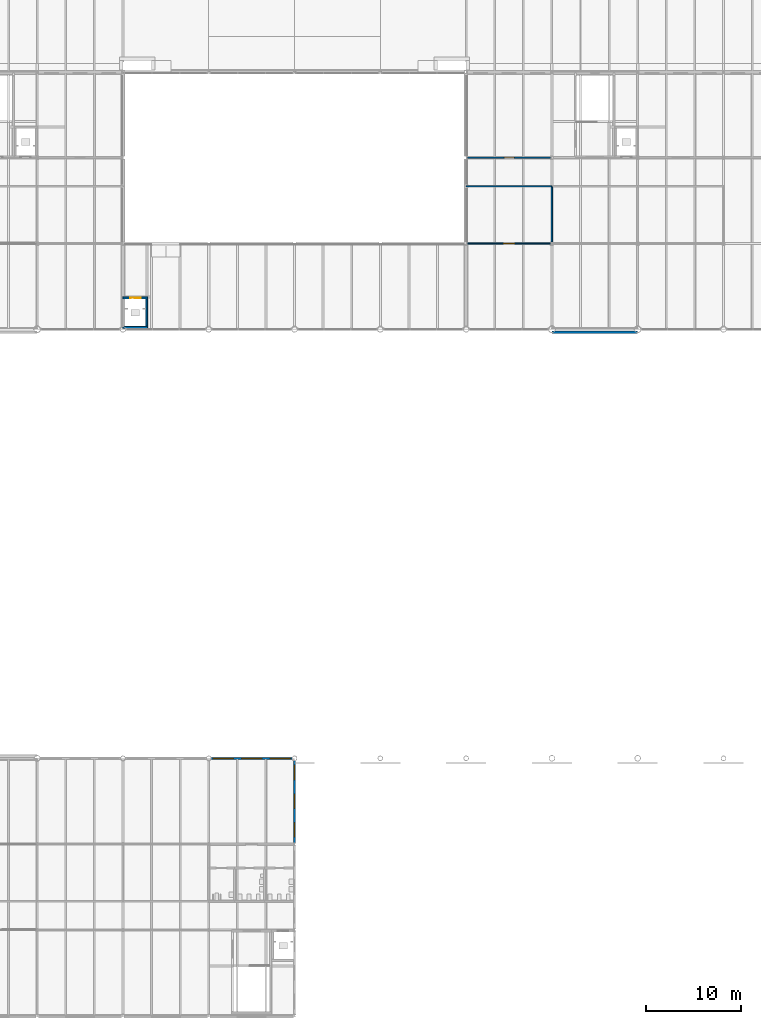
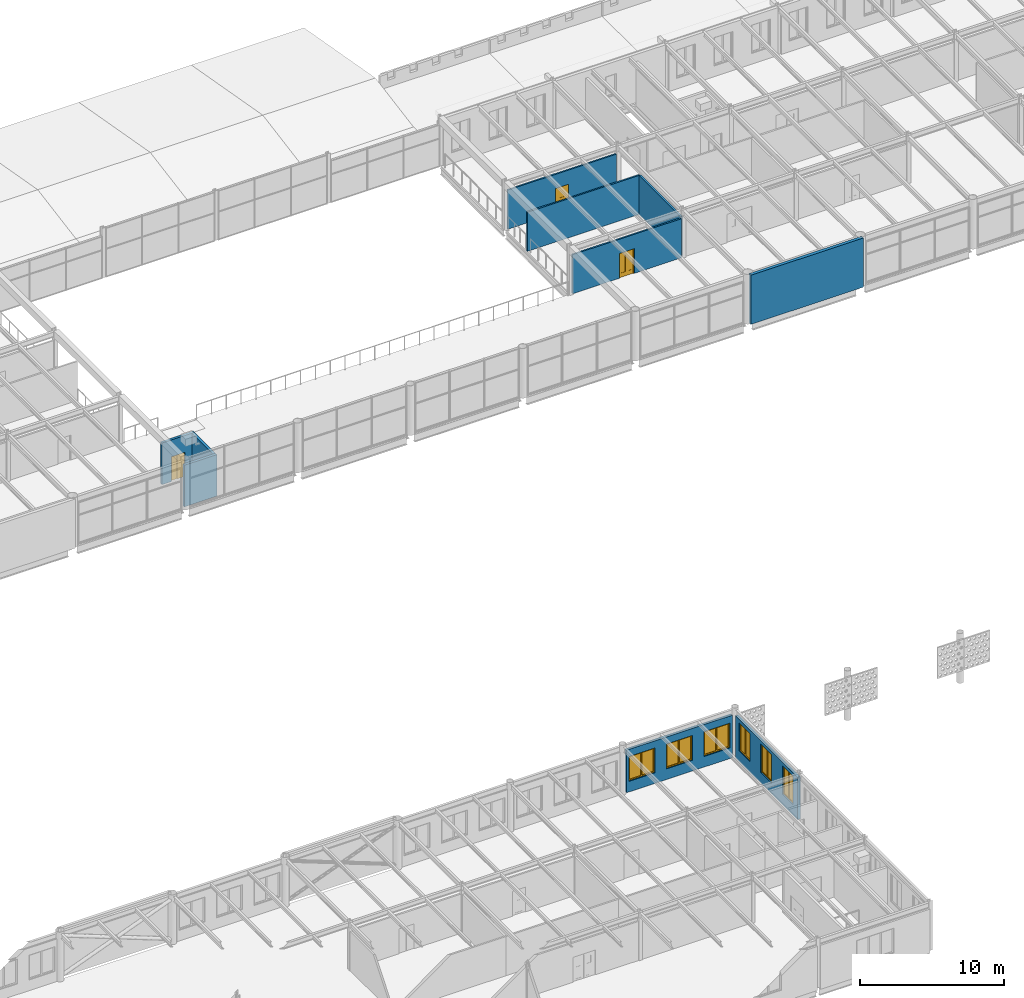
# One storey, part 79 of 123: 10 walls, 6 windows, 3 doors, 9 openings.
"""IFC4 building model written with IfcOpenShell, lengths in metres."""

from ifc_helpers import new_model, si_unit, direction, frame, frame_2d, origin, place, context, subcontext, project, spatial, polyline, rectangle, outline, extrude, material, layer, layer_set, type_object, element, fill, save


model = new_model("IFC4")

# Units and contexts
model_context = context("Model", 3, precision=1e-05, world=origin(), true_north=direction((0.0, 1.0)))
body_context = subcontext(model_context, "Body", "Model", "MODEL_VIEW")
ifc_project = project(units=[si_unit("LENGTHUNIT", "METRE"), si_unit("AREAUNIT", "SQUARE_METRE"), si_unit("VOLUMEUNIT", "CUBIC_METRE"), si_unit("PLANEANGLEUNIT", "RADIAN"), si_unit("MASSUNIT", "GRAM", prefix="KILO")], contexts=[model_context])

# Site, building, storey
site_placement = place(None, origin())
site = spatial("IfcSite", under=ifc_project, at=site_placement, CompositionType="ELEMENT")
building_placement = place(site_placement, origin())
building = spatial("IfcBuilding", under=site, at=building_placement, Name="Baradari Gate Terminus", CompositionType="ELEMENT")
storey_placement = place(building_placement, frame((0.0, 0.0, 7.5)))
storey = spatial("IfcBuildingStorey", under=building, at=storey_placement, Name="L01", CompositionType="ELEMENT", Elevation=7.5)

# Wall
ifc_material_1 = material(Name="Gypsum board")
ifc_layer_1 = layer(ifc_material_1, 0.125)
ifc_layer_set_1 = layer_set([ifc_layer_1], Name="Gypsum board")
wall_type_1 = type_object("IfcWallType", Name="Corridor partition PT-5 125 EI 30", PredefinedType="PARTITIONING", material=ifc_layer_set_1)
wall_1_placement = place(storey_placement, frame((180.0, 96.0, 0.0), z_axis=(0.0, 0.0, 1.0), x_axis=(-1.0, 0.0, 0.0)))
element("IfcWall", 1, at=wall_1_placement, inside=storey, type_object=wall_type_1, Name="PT-5 partition Corridor (Service Corridor East) / Training Room", PredefinedType="PARTITIONING", context=body_context, shape_type="SweptSolid", body=[
    extrude(rectangle(XDim=9.0, YDim=0.125, at=frame_2d((4.5, 0.0))), origin(), (0.0, 0.0, 1.0), 3.306884765625),
])

# Wall, opening, door
wall_2_placement = place(storey_placement, frame((171.15380859375, 99.0, 0.0), z_axis=(0.0, 0.0, 1.0), x_axis=(1.0, 0.0, 0.0)))
wall_2 = element("IfcWall", 2, at=wall_2_placement, inside=storey, type_object=wall_type_1, Name="PT-5 partition Corridor (Service Corridor East) / Meeting Room 2", PredefinedType="PARTITIONING", context=body_context, shape_type="SweptSolid", body=[
    extrude(rectangle(XDim=8.6923828125, YDim=0.125, at=frame_2d((4.34619140625, 0.0))), origin(), (0.0, 0.0, 1.0), 3.306884765625),
])
opening_1_placement = place(wall_2_placement, frame((3.8212890625, 0.0, 0.0)))
opening_1 = element("IfcOpeningElement", 3, at=opening_1_placement, cuts=wall_2, Name="Opening D01-058", PredefinedType="OPENING", context=body_context, shape_type="SweptSolid", body=[
    extrude(rectangle(XDim=1.050048828125, YDim=2.10009765625, at=frame_2d((0.52490234375, 1.050048828125))), frame((0.0, 0.072509765625, 0.0), z_axis=(0.0, -1.0, 0.0), x_axis=(1.0, 0.0, 0.0)), (0.0, 0.0, 1.0), 0.14501953125),
])
ifc_material_2 = material(Name="Steel S275", Category="steel")
door_type_1 = type_object("IfcDoorType", Name="Fire door FI-1050-FD30S 1050x2100 FD30S", OperationType="SINGLE_SWING_LEFT", PredefinedType="DOOR", material=ifc_material_2)
door_1_placement = place(opening_1_placement, origin())
door_1 = element("IfcDoor", 4, at=door_1_placement, inside=storey, type_object=door_type_1, Name="Door Meeting Room 2", OperationType="SINGLE_SWING_RIGHT", OverallHeight=2.1, OverallWidth=1.05, PredefinedType="DOOR", context=body_context, shape_type="SweptSolid", body=[
    extrude(outline(polyline([(0.0, 0.0), (0.070068359375, 0.0), (0.070068359375, 2.030029296875), (0.97998046875, 2.030029296875), (0.97998046875, 0.0), (1.050048828125, 0.0), (1.050048828125, 2.10009765625), (0.0, 2.10009765625), (0.0, 0.0)])), frame((0.0, 0.02490234375, 0.0), z_axis=(0.0, -1.0, 0.0), x_axis=(1.0, 0.0, 0.0)), (0.0, 0.0, 1.0), 0.050048828125),
    extrude(outline(polyline([(0.073974609375, 0.010009765625), (0.97607421875, 0.010009765625), (0.97607421875, 2.026123046875), (0.073974609375, 2.026123046875), (0.073974609375, 0.010009765625)]), holes=[polyline([(0.194091796875, 0.159912109375), (0.85595703125, 0.159912109375), (0.85595703125, 1.010009765625), (0.194091796875, 1.010009765625), (0.194091796875, 0.159912109375)]), polyline([(0.375, 1.159912109375), (0.675048828125, 1.159912109375), (0.675048828125, 1.760009765625), (0.375, 1.760009765625), (0.375, 1.159912109375)])]), frame((0.0, 0.017333984375, 0.0), z_axis=(0.0, -1.0, 0.0), x_axis=(1.0, 0.0, 0.0)), (0.0, 0.0, 1.0), 0.034912109375),
    extrude(rectangle(XDim=0.661865234375, YDim=0.85009765625, at=frame_2d((0.52490234375, 0.5849609375))), frame((0.0, 0.008544921875, 0.0), z_axis=(0.0, -1.0, 0.0), x_axis=(1.0, 0.0, 0.0)), (0.0, 0.0, 1.0), 0.017333984375),
    extrude(rectangle(XDim=0.300048828125, YDim=0.60009765625, at=frame_2d((0.52490234375, 1.4599609375))), frame((0.0, 0.005859375, 0.0), z_axis=(0.0, -1.0, 0.0), x_axis=(1.0, 0.0, 0.0)), (0.0, 0.0, 1.0), 0.011962890625),
])
fill(opening_1, door_1)

wall_3_placement = place(storey_placement, frame((171.15380859375, 90.0, 0.0), z_axis=(0.0, 0.0, 1.0), x_axis=(1.0, 0.0, 0.0)))
wall_3 = element("IfcWall", 5, at=wall_3_placement, inside=storey, type_object=wall_type_1, Name="PT-5 partition Gallery / Training Room", PredefinedType="PARTITIONING", context=body_context, shape_type="SweptSolid", body=[
    extrude(rectangle(XDim=8.6923828125, YDim=0.125, at=frame_2d((4.34619140625, 0.0))), origin(), (0.0, 0.0, 1.0), 3.306884765625),
])
opening_2_placement = place(wall_3_placement, frame((3.746337890625, 0.0, 0.0)))
opening_2 = element("IfcOpeningElement", 6, at=opening_2_placement, cuts=wall_3, Name="Opening D01-042", PredefinedType="OPENING", context=body_context, shape_type="SweptSolid", body=[
    extrude(rectangle(XDim=1.199951171875, YDim=2.10009765625, at=frame_2d((0.60009765625, 1.050048828125))), frame((0.0, 0.072509765625, 0.0), z_axis=(0.0, -1.0, 0.0), x_axis=(1.0, 0.0, 0.0)), (0.0, 0.0, 1.0), 0.14501953125),
])
ifc_material_3 = material(Name="Steel S275", Category="steel")
door_type_2 = type_object("IfcDoorType", Name="Fire door FI-1200-FD30S 1200x2100 FD30S", OperationType="DOUBLE_DOOR_SINGLE_SWING", PredefinedType="DOOR", material=ifc_material_3)
door_2_placement = place(opening_2_placement, origin())
door_2 = element("IfcDoor", 7, at=door_2_placement, inside=storey, type_object=door_type_2, Name="Door Training Room", OperationType="DOUBLE_DOOR_SINGLE_SWING", OverallHeight=2.1, OverallWidth=1.2, PredefinedType="DOOR", context=body_context, shape_type="SweptSolid", body=[
    extrude(outline(polyline([(0.0, 0.0), (0.070068359375, 0.0), (0.070068359375, 2.030029296875), (1.1298828125, 2.030029296875), (1.1298828125, 0.0), (1.199951171875, 0.0), (1.199951171875, 2.10009765625), (0.0, 2.10009765625), (0.0, 0.0)])), frame((0.0, 0.02490234375, 0.0), z_axis=(0.0, -1.0, 0.0), x_axis=(1.0, 0.0, 0.0)), (0.0, 0.0, 1.0), 0.050048828125),
    extrude(outline(polyline([(0.073974609375, 0.010009765625), (0.596923828125, 0.010009765625), (0.596923828125, 2.026123046875), (0.073974609375, 2.026123046875), (0.073974609375, 0.010009765625)]), holes=[polyline([(0.178466796875, 0.372802734375), (0.492431640625, 0.372802734375), (0.492431640625, 1.7841796875), (0.178466796875, 1.7841796875), (0.178466796875, 0.372802734375)])]), frame((0.0, 0.017333984375, 0.0), z_axis=(0.0, -1.0, 0.0), x_axis=(1.0, 0.0, 0.0)), (0.0, 0.0, 1.0), 0.034912109375),
    extrude(rectangle(XDim=0.31396484375, YDim=1.411376953125, at=frame_2d((0.33544921875, 1.07861328125))), frame((0.0, 0.008544921875, 0.0), z_axis=(0.0, -1.0, 0.0), x_axis=(1.0, 0.0, 0.0)), (0.0, 0.0, 1.0), 0.017333984375),
    extrude(outline(polyline([(0.60302734375, 0.010009765625), (1.1259765625, 0.010009765625), (1.1259765625, 2.026123046875), (0.60302734375, 2.026123046875), (0.60302734375, 0.010009765625)]), holes=[polyline([(0.70751953125, 0.372802734375), (1.021484375, 0.372802734375), (1.021484375, 1.7841796875), (0.70751953125, 1.7841796875), (0.70751953125, 0.372802734375)])]), frame((0.0, 0.017333984375, 0.0), z_axis=(0.0, -1.0, 0.0), x_axis=(1.0, 0.0, 0.0)), (0.0, 0.0, 1.0), 0.034912109375),
    extrude(rectangle(XDim=0.31396484375, YDim=1.411376953125, at=frame_2d((0.864501953125, 1.07861328125))), frame((0.0, 0.008544921875, 0.0), z_axis=(0.0, -1.0, 0.0), x_axis=(1.0, 0.0, 0.0)), (0.0, 0.0, 1.0), 0.017333984375),
])
fill(opening_2, door_2)

# Wall
ifc_material_4 = material(Name="Laterite masonry", Category="masonry")
ifc_layer_2 = layer(ifc_material_4, 0.25)
ifc_layer_set_2 = layer_set([ifc_layer_2], Name="Laterite masonry")
wall_type_2 = type_object("IfcWallType", Name="Laterite masonry wall WP-1 250", PredefinedType="SOLIDWALL", material=ifc_layer_set_2)
wall_4_placement = place(storey_placement, frame((180.0, 80.68994140625, 0.0), z_axis=(0.0, 0.0, 1.0), x_axis=(1.0, 0.0, 0.0)))
element("IfcWall", 8, at=wall_4_placement, inside=storey, type_object=wall_type_2, Name="External wall platform side bay 20 L01", PredefinedType="SOLIDWALL", context=body_context, shape_type="SweptSolid", body=[
    extrude(rectangle(XDim=9.0, YDim=0.25, at=frame_2d((4.5, 0.0))), origin(), (0.0, 0.0, 1.0), 4.15869140625),
])

# Wall, openings, windows
ifc_material_5 = material(Name="Light ochre laterite masonry", Category="masonry")
ifc_layer_3 = layer(ifc_material_5, 0.219970703125)
ifc_layer_set_3 = layer_set([ifc_layer_3], Name="Light ochre laterite masonry")
wall_type_3 = type_object("IfcWallType", Name="Laterite masonry wall WP-2 220", PredefinedType="SOLIDWALL", material=ifc_layer_set_3)
wall_5_placement = place(storey_placement, frame((153.0, 27.130126953125, 0.0), z_axis=(0.0, 0.0, 1.0), x_axis=(0.0, 1.0, 0.0)))
wall_5 = element("IfcWall", 9, at=wall_5_placement, inside=storey, type_object=wall_type_3, Name="east end wall SE bay 4 L01", PredefinedType="SOLIDWALL", context=body_context, shape_type="SweptSolid", body=[
    extrude(rectangle(XDim=8.615966796875, YDim=0.219970703125, at=frame_2d((4.30810546875, 0.0))), origin(), (0.0, 0.0, 1.0), 3.5966796875),
])
opening_3_placement = place(wall_5_placement, frame((0.619873046875, 0.0, 0.89990234375)))
opening_3 = element("IfcOpeningElement", 10, at=opening_3_placement, cuts=wall_5, Name="Opening W1", PredefinedType="OPENING", context=body_context, shape_type="SweptSolid", body=[
    extrude(rectangle(XDim=1.5, YDim=2.39990234375, at=frame_2d((0.75, 1.199951171875))), frame((0.0, 0.119873046875, 0.0), z_axis=(0.0, -1.0, 0.0), x_axis=(1.0, 0.0, 0.0)), (0.0, 0.0, 1.0), 0.239990234375),
])
opening_4_placement = place(wall_5_placement, frame((3.619873046875, 0.0, 0.89990234375)))
opening_4 = element("IfcOpeningElement", 11, at=opening_4_placement, cuts=wall_5, Name="Opening W1", PredefinedType="OPENING", context=body_context, shape_type="SweptSolid", body=[
    extrude(rectangle(XDim=1.5, YDim=2.39990234375, at=frame_2d((0.75, 1.199951171875))), frame((0.0, 0.119873046875, 0.0), z_axis=(0.0, -1.0, 0.0), x_axis=(1.0, 0.0, 0.0)), (0.0, 0.0, 1.0), 0.239990234375),
])
opening_5_placement = place(wall_5_placement, frame((6.619873046875, 0.0, 0.89990234375)))
opening_5 = element("IfcOpeningElement", 12, at=opening_5_placement, cuts=wall_5, Name="Opening W1", PredefinedType="OPENING", context=body_context, shape_type="SweptSolid", body=[
    extrude(rectangle(XDim=1.5, YDim=2.39990234375, at=frame_2d((0.75, 1.199951171875))), frame((0.0, 0.119873046875, 0.0), z_axis=(0.0, -1.0, 0.0), x_axis=(1.0, 0.0, 0.0)), (0.0, 0.0, 1.0), 0.239990234375),
])
ifc_material_6 = material(Name="Aluminium 6063-T6", Category="aluminium")
window_type_1 = type_object("IfcWindowType", Name="Punched window, 2-light W1 1500x2400", PartitioningType="DOUBLE_PANEL_VERTICAL", PredefinedType="WINDOW", material=ifc_material_6)
window_1_placement = place(opening_3_placement, origin())
window_1 = element("IfcWindow", 13, at=window_1_placement, inside=storey, type_object=window_type_1, Name="Window W1 SE/03", OverallHeight=2.4, OverallWidth=1.5, PartitioningType="DOUBLE_PANEL_VERTICAL", PredefinedType="WINDOW", context=body_context, shape_type="SweptSolid", body=[
    extrude(outline(polyline([(0.0, 0.0), (1.5, 0.0), (1.5, 2.39990234375), (0.0, 2.39990234375), (0.0, 0.0)]), holes=[polyline([(0.070068359375, 0.070068359375), (1.429931640625, 0.070068359375), (1.429931640625, 2.329833984375), (0.070068359375, 2.329833984375), (0.070068359375, 0.070068359375)])]), frame((0.0, 0.030029296875, 0.0), z_axis=(0.0, -1.0, 0.0), x_axis=(1.0, 0.0, 0.0)), (0.0, 0.0, 1.0), 0.06005859375),
    extrude(rectangle(XDim=0.0400390625, YDim=2.259765625, at=frame_2d((0.75, 1.199951171875))), frame((0.0, 0.02197265625, 0.0), z_axis=(0.0, -1.0, 0.0), x_axis=(1.0, 0.0, 0.0)), (0.0, 0.0, 1.0), 0.0439453125),
    extrude(outline(polyline([(0.070068359375, 0.070068359375), (0.72998046875, 0.070068359375), (0.72998046875, 2.329833984375), (0.070068359375, 2.329833984375), (0.070068359375, 0.070068359375)]), holes=[polyline([(0.10009765625, 0.10009765625), (0.699951171875, 0.10009765625), (0.699951171875, 2.2998046875), (0.10009765625, 2.2998046875), (0.10009765625, 0.10009765625)])]), frame((0.0, 0.0224609375, 0.0), z_axis=(0.0, -1.0, 0.0), x_axis=(1.0, 0.0, 0.0)), (0.0, 0.0, 1.0), 0.044921875),
    extrude(rectangle(XDim=0.599853515625, YDim=2.19970703125, at=frame_2d((0.39990234375, 1.199951171875))), frame((0.0, 0.006103515625, 0.0), z_axis=(0.0, -1.0, 0.0), x_axis=(1.0, 0.0, 0.0)), (0.0, 0.0, 1.0), 0.01220703125),
    extrude(outline(polyline([(0.77001953125, 0.070068359375), (1.429931640625, 0.070068359375), (1.429931640625, 2.329833984375), (0.77001953125, 2.329833984375), (0.77001953125, 0.070068359375)]), holes=[polyline([(0.800048828125, 0.10009765625), (1.39990234375, 0.10009765625), (1.39990234375, 2.2998046875), (0.800048828125, 2.2998046875), (0.800048828125, 0.10009765625)])]), frame((0.0, 0.0224609375, 0.0), z_axis=(0.0, -1.0, 0.0), x_axis=(1.0, 0.0, 0.0)), (0.0, 0.0, 1.0), 0.044921875),
    extrude(rectangle(XDim=0.599853515625, YDim=2.19970703125, at=frame_2d((1.10009765625, 1.199951171875))), frame((0.0, 0.006103515625, 0.0), z_axis=(0.0, -1.0, 0.0), x_axis=(1.0, 0.0, 0.0)), (0.0, 0.0, 1.0), 0.01220703125),
])
fill(opening_3, window_1)
window_2_placement = place(opening_4_placement, origin())
window_2 = element("IfcWindow", 14, at=window_2_placement, inside=storey, type_object=window_type_1, Name="Window W1 SE/03", OverallHeight=2.4, OverallWidth=1.5, PartitioningType="DOUBLE_PANEL_VERTICAL", PredefinedType="WINDOW", context=body_context, shape_type="SweptSolid", body=[
    extrude(outline(polyline([(0.0, 0.0), (1.5, 0.0), (1.5, 2.39990234375), (0.0, 2.39990234375), (0.0, 0.0)]), holes=[polyline([(0.070068359375, 0.070068359375), (1.429931640625, 0.070068359375), (1.429931640625, 2.329833984375), (0.070068359375, 2.329833984375), (0.070068359375, 0.070068359375)])]), frame((0.0, 0.030029296875, 0.0), z_axis=(0.0, -1.0, 0.0), x_axis=(1.0, 0.0, 0.0)), (0.0, 0.0, 1.0), 0.06005859375),
    extrude(rectangle(XDim=0.0400390625, YDim=2.259765625, at=frame_2d((0.75, 1.199951171875))), frame((0.0, 0.02197265625, 0.0), z_axis=(0.0, -1.0, 0.0), x_axis=(1.0, 0.0, 0.0)), (0.0, 0.0, 1.0), 0.0439453125),
    extrude(outline(polyline([(0.070068359375, 0.070068359375), (0.72998046875, 0.070068359375), (0.72998046875, 2.329833984375), (0.070068359375, 2.329833984375), (0.070068359375, 0.070068359375)]), holes=[polyline([(0.10009765625, 0.10009765625), (0.699951171875, 0.10009765625), (0.699951171875, 2.2998046875), (0.10009765625, 2.2998046875), (0.10009765625, 0.10009765625)])]), frame((0.0, 0.0224609375, 0.0), z_axis=(0.0, -1.0, 0.0), x_axis=(1.0, 0.0, 0.0)), (0.0, 0.0, 1.0), 0.044921875),
    extrude(rectangle(XDim=0.599853515625, YDim=2.19970703125, at=frame_2d((0.39990234375, 1.199951171875))), frame((0.0, 0.006103515625, 0.0), z_axis=(0.0, -1.0, 0.0), x_axis=(1.0, 0.0, 0.0)), (0.0, 0.0, 1.0), 0.01220703125),
    extrude(outline(polyline([(0.77001953125, 0.070068359375), (1.429931640625, 0.070068359375), (1.429931640625, 2.329833984375), (0.77001953125, 2.329833984375), (0.77001953125, 0.070068359375)]), holes=[polyline([(0.800048828125, 0.10009765625), (1.39990234375, 0.10009765625), (1.39990234375, 2.2998046875), (0.800048828125, 2.2998046875), (0.800048828125, 0.10009765625)])]), frame((0.0, 0.0224609375, 0.0), z_axis=(0.0, -1.0, 0.0), x_axis=(1.0, 0.0, 0.0)), (0.0, 0.0, 1.0), 0.044921875),
    extrude(rectangle(XDim=0.599853515625, YDim=2.19970703125, at=frame_2d((1.10009765625, 1.199951171875))), frame((0.0, 0.006103515625, 0.0), z_axis=(0.0, -1.0, 0.0), x_axis=(1.0, 0.0, 0.0)), (0.0, 0.0, 1.0), 0.01220703125),
])
fill(opening_4, window_2)
window_3_placement = place(opening_5_placement, origin())
window_3 = element("IfcWindow", 15, at=window_3_placement, inside=storey, type_object=window_type_1, Name="Window W1 SE/03", OverallHeight=2.4, OverallWidth=1.5, PartitioningType="DOUBLE_PANEL_VERTICAL", PredefinedType="WINDOW", context=body_context, shape_type="SweptSolid", body=[
    extrude(outline(polyline([(0.0, 0.0), (1.5, 0.0), (1.5, 2.39990234375), (0.0, 2.39990234375), (0.0, 0.0)]), holes=[polyline([(0.070068359375, 0.070068359375), (1.429931640625, 0.070068359375), (1.429931640625, 2.329833984375), (0.070068359375, 2.329833984375), (0.070068359375, 0.070068359375)])]), frame((0.0, 0.030029296875, 0.0), z_axis=(0.0, -1.0, 0.0), x_axis=(1.0, 0.0, 0.0)), (0.0, 0.0, 1.0), 0.06005859375),
    extrude(rectangle(XDim=0.0400390625, YDim=2.259765625, at=frame_2d((0.75, 1.199951171875))), frame((0.0, 0.02197265625, 0.0), z_axis=(0.0, -1.0, 0.0), x_axis=(1.0, 0.0, 0.0)), (0.0, 0.0, 1.0), 0.0439453125),
    extrude(outline(polyline([(0.070068359375, 0.070068359375), (0.72998046875, 0.070068359375), (0.72998046875, 2.329833984375), (0.070068359375, 2.329833984375), (0.070068359375, 0.070068359375)]), holes=[polyline([(0.10009765625, 0.10009765625), (0.699951171875, 0.10009765625), (0.699951171875, 2.2998046875), (0.10009765625, 2.2998046875), (0.10009765625, 0.10009765625)])]), frame((0.0, 0.0224609375, 0.0), z_axis=(0.0, -1.0, 0.0), x_axis=(1.0, 0.0, 0.0)), (0.0, 0.0, 1.0), 0.044921875),
    extrude(rectangle(XDim=0.599853515625, YDim=2.19970703125, at=frame_2d((0.39990234375, 1.199951171875))), frame((0.0, 0.006103515625, 0.0), z_axis=(0.0, -1.0, 0.0), x_axis=(1.0, 0.0, 0.0)), (0.0, 0.0, 1.0), 0.01220703125),
    extrude(outline(polyline([(0.77001953125, 0.070068359375), (1.429931640625, 0.070068359375), (1.429931640625, 2.329833984375), (0.77001953125, 2.329833984375), (0.77001953125, 0.070068359375)]), holes=[polyline([(0.800048828125, 0.10009765625), (1.39990234375, 0.10009765625), (1.39990234375, 2.2998046875), (0.800048828125, 2.2998046875), (0.800048828125, 0.10009765625)])]), frame((0.0, 0.0224609375, 0.0), z_axis=(0.0, -1.0, 0.0), x_axis=(1.0, 0.0, 0.0)), (0.0, 0.0, 1.0), 0.044921875),
    extrude(rectangle(XDim=0.599853515625, YDim=2.19970703125, at=frame_2d((1.10009765625, 1.199951171875))), frame((0.0, 0.006103515625, 0.0), z_axis=(0.0, -1.0, 0.0), x_axis=(1.0, 0.0, 0.0)), (0.0, 0.0, 1.0), 0.01220703125),
])
fill(opening_5, window_3)

wall_6_placement = place(storey_placement, frame((144.25390625, 36.0, 0.0), z_axis=(0.0, 0.0, 1.0), x_axis=(1.0, 0.0, 0.0)))
wall_6 = element("IfcWall", 16, at=wall_6_placement, inside=storey, type_object=wall_type_3, Name="platform side wall SN bay 17 L01", PredefinedType="SOLIDWALL", context=body_context, shape_type="SweptSolid", body=[
    extrude(rectangle(XDim=8.4921875, YDim=0.219970703125, at=frame_2d((4.24609375, 0.0))), origin(), (0.0, 0.0, 1.0), 3.5966796875),
])
opening_6_placement = place(wall_6_placement, frame((0.196044921875, 0.0, 0.89990234375)))
opening_6 = element("IfcOpeningElement", 17, at=opening_6_placement, cuts=wall_6, Name="Opening W13", PredefinedType="OPENING", context=body_context, shape_type="SweptSolid", body=[
    extrude(rectangle(XDim=2.10009765625, YDim=2.10009765625, at=frame_2d((1.050048828125, 1.050048828125))), frame((0.0, 0.119873046875, 0.0), z_axis=(0.0, -1.0, 0.0), x_axis=(1.0, 0.0, 0.0)), (0.0, 0.0, 1.0), 0.239990234375),
])
opening_7_placement = place(wall_6_placement, frame((3.196044921875, 0.0, 0.89990234375)))
opening_7 = element("IfcOpeningElement", 18, at=opening_7_placement, cuts=wall_6, Name="Opening W13", PredefinedType="OPENING", context=body_context, shape_type="SweptSolid", body=[
    extrude(rectangle(XDim=2.10009765625, YDim=2.10009765625, at=frame_2d((1.050048828125, 1.050048828125))), frame((0.0, 0.119873046875, 0.0), z_axis=(0.0, -1.0, 0.0), x_axis=(1.0, 0.0, 0.0)), (0.0, 0.0, 1.0), 0.239990234375),
])
opening_8_placement = place(wall_6_placement, frame((6.196044921875, 0.0, 0.89990234375)))
opening_8 = element("IfcOpeningElement", 19, at=opening_8_placement, cuts=wall_6, Name="Opening W13", PredefinedType="OPENING", context=body_context, shape_type="SweptSolid", body=[
    extrude(rectangle(XDim=2.10009765625, YDim=2.10009765625, at=frame_2d((1.050048828125, 1.050048828125))), frame((0.0, 0.119873046875, 0.0), z_axis=(0.0, -1.0, 0.0), x_axis=(1.0, 0.0, 0.0)), (0.0, 0.0, 1.0), 0.239990234375),
])
ifc_material_7 = material(Name="Aluminium 6063-T6", Category="aluminium")
window_type_2 = type_object("IfcWindowType", Name="Platform-side office window W13 2100x2100", PartitioningType="DOUBLE_PANEL_VERTICAL", PredefinedType="WINDOW", material=ifc_material_7)
window_4_placement = place(opening_6_placement, origin())
window_4 = element("IfcWindow", 20, at=window_4_placement, inside=storey, type_object=window_type_2, Name="Window W13 SN/16", OverallHeight=2.1, OverallWidth=2.1, PartitioningType="DOUBLE_PANEL_VERTICAL", PredefinedType="WINDOW", context=body_context, shape_type="SweptSolid", body=[
    extrude(outline(polyline([(0.0, 0.0), (2.10009765625, 0.0), (2.10009765625, 2.10009765625), (0.0, 2.10009765625), (0.0, 0.0)]), holes=[polyline([(0.070068359375, 0.070068359375), (2.030029296875, 0.070068359375), (2.030029296875, 2.030029296875), (0.070068359375, 2.030029296875), (0.070068359375, 0.070068359375)])]), frame((0.0, 0.030029296875, 0.0), z_axis=(0.0, -1.0, 0.0), x_axis=(1.0, 0.0, 0.0)), (0.0, 0.0, 1.0), 0.06005859375),
    extrude(rectangle(XDim=0.0400390625, YDim=1.9599609375, at=frame_2d((1.050048828125, 1.050048828125))), frame((0.0, 0.02197265625, 0.0), z_axis=(0.0, -1.0, 0.0), x_axis=(1.0, 0.0, 0.0)), (0.0, 0.0, 1.0), 0.0439453125),
    extrude(outline(polyline([(0.070068359375, 0.070068359375), (1.030029296875, 0.070068359375), (1.030029296875, 2.030029296875), (0.070068359375, 2.030029296875), (0.070068359375, 0.070068359375)]), holes=[polyline([(0.10009765625, 0.10009765625), (1.0, 0.10009765625), (1.0, 2.0), (0.10009765625, 2.0), (0.10009765625, 0.10009765625)])]), frame((0.0, 0.0224609375, 0.0), z_axis=(0.0, -1.0, 0.0), x_axis=(1.0, 0.0, 0.0)), (0.0, 0.0, 1.0), 0.044921875),
    extrude(rectangle(XDim=0.89990234375, YDim=1.89990234375, at=frame_2d((0.550048828125, 1.050048828125))), frame((0.0, 0.006103515625, 0.0), z_axis=(0.0, -1.0, 0.0), x_axis=(1.0, 0.0, 0.0)), (0.0, 0.0, 1.0), 0.01220703125),
    extrude(outline(polyline([(1.070068359375, 0.070068359375), (2.030029296875, 0.070068359375), (2.030029296875, 2.030029296875), (1.070068359375, 2.030029296875), (1.070068359375, 0.070068359375)]), holes=[polyline([(1.10009765625, 0.10009765625), (2.0, 0.10009765625), (2.0, 2.0), (1.10009765625, 2.0), (1.10009765625, 0.10009765625)])]), frame((0.0, 0.0224609375, 0.0), z_axis=(0.0, -1.0, 0.0), x_axis=(1.0, 0.0, 0.0)), (0.0, 0.0, 1.0), 0.044921875),
    extrude(rectangle(XDim=0.89990234375, YDim=1.89990234375, at=frame_2d((1.550048828125, 1.050048828125))), frame((0.0, 0.006103515625, 0.0), z_axis=(0.0, -1.0, 0.0), x_axis=(1.0, 0.0, 0.0)), (0.0, 0.0, 1.0), 0.01220703125),
])
fill(opening_6, window_4)
window_5_placement = place(opening_7_placement, origin())
window_5 = element("IfcWindow", 21, at=window_5_placement, inside=storey, type_object=window_type_2, Name="Window W13 SN/16", OverallHeight=2.1, OverallWidth=2.1, PartitioningType="DOUBLE_PANEL_VERTICAL", PredefinedType="WINDOW", context=body_context, shape_type="SweptSolid", body=[
    extrude(outline(polyline([(0.0, 0.0), (2.10009765625, 0.0), (2.10009765625, 2.10009765625), (0.0, 2.10009765625), (0.0, 0.0)]), holes=[polyline([(0.070068359375, 0.070068359375), (2.030029296875, 0.070068359375), (2.030029296875, 2.030029296875), (0.070068359375, 2.030029296875), (0.070068359375, 0.070068359375)])]), frame((0.0, 0.030029296875, 0.0), z_axis=(0.0, -1.0, 0.0), x_axis=(1.0, 0.0, 0.0)), (0.0, 0.0, 1.0), 0.06005859375),
    extrude(rectangle(XDim=0.0400390625, YDim=1.9599609375, at=frame_2d((1.050048828125, 1.050048828125))), frame((0.0, 0.02197265625, 0.0), z_axis=(0.0, -1.0, 0.0), x_axis=(1.0, 0.0, 0.0)), (0.0, 0.0, 1.0), 0.0439453125),
    extrude(outline(polyline([(0.070068359375, 0.070068359375), (1.030029296875, 0.070068359375), (1.030029296875, 2.030029296875), (0.070068359375, 2.030029296875), (0.070068359375, 0.070068359375)]), holes=[polyline([(0.10009765625, 0.10009765625), (1.0, 0.10009765625), (1.0, 2.0), (0.10009765625, 2.0), (0.10009765625, 0.10009765625)])]), frame((0.0, 0.0224609375, 0.0), z_axis=(0.0, -1.0, 0.0), x_axis=(1.0, 0.0, 0.0)), (0.0, 0.0, 1.0), 0.044921875),
    extrude(rectangle(XDim=0.89990234375, YDim=1.89990234375, at=frame_2d((0.550048828125, 1.050048828125))), frame((0.0, 0.006103515625, 0.0), z_axis=(0.0, -1.0, 0.0), x_axis=(1.0, 0.0, 0.0)), (0.0, 0.0, 1.0), 0.01220703125),
    extrude(outline(polyline([(1.070068359375, 0.070068359375), (2.030029296875, 0.070068359375), (2.030029296875, 2.030029296875), (1.070068359375, 2.030029296875), (1.070068359375, 0.070068359375)]), holes=[polyline([(1.10009765625, 0.10009765625), (2.0, 0.10009765625), (2.0, 2.0), (1.10009765625, 2.0), (1.10009765625, 0.10009765625)])]), frame((0.0, 0.0224609375, 0.0), z_axis=(0.0, -1.0, 0.0), x_axis=(1.0, 0.0, 0.0)), (0.0, 0.0, 1.0), 0.044921875),
    extrude(rectangle(XDim=0.89990234375, YDim=1.89990234375, at=frame_2d((1.550048828125, 1.050048828125))), frame((0.0, 0.006103515625, 0.0), z_axis=(0.0, -1.0, 0.0), x_axis=(1.0, 0.0, 0.0)), (0.0, 0.0, 1.0), 0.01220703125),
])
fill(opening_7, window_5)
window_6_placement = place(opening_8_placement, origin())
window_6 = element("IfcWindow", 22, at=window_6_placement, inside=storey, type_object=window_type_2, Name="Window W13 SN/16", OverallHeight=2.1, OverallWidth=2.1, PartitioningType="DOUBLE_PANEL_VERTICAL", PredefinedType="WINDOW", context=body_context, shape_type="SweptSolid", body=[
    extrude(outline(polyline([(0.0, 0.0), (2.10009765625, 0.0), (2.10009765625, 2.10009765625), (0.0, 2.10009765625), (0.0, 0.0)]), holes=[polyline([(0.070068359375, 0.070068359375), (2.030029296875, 0.070068359375), (2.030029296875, 2.030029296875), (0.070068359375, 2.030029296875), (0.070068359375, 0.070068359375)])]), frame((0.0, 0.030029296875, 0.0), z_axis=(0.0, -1.0, 0.0), x_axis=(1.0, 0.0, 0.0)), (0.0, 0.0, 1.0), 0.06005859375),
    extrude(rectangle(XDim=0.0400390625, YDim=1.9599609375, at=frame_2d((1.050048828125, 1.050048828125))), frame((0.0, 0.02197265625, 0.0), z_axis=(0.0, -1.0, 0.0), x_axis=(1.0, 0.0, 0.0)), (0.0, 0.0, 1.0), 0.0439453125),
    extrude(outline(polyline([(0.070068359375, 0.070068359375), (1.030029296875, 0.070068359375), (1.030029296875, 2.030029296875), (0.070068359375, 2.030029296875), (0.070068359375, 0.070068359375)]), holes=[polyline([(0.10009765625, 0.10009765625), (1.0, 0.10009765625), (1.0, 2.0), (0.10009765625, 2.0), (0.10009765625, 0.10009765625)])]), frame((0.0, 0.0224609375, 0.0), z_axis=(0.0, -1.0, 0.0), x_axis=(1.0, 0.0, 0.0)), (0.0, 0.0, 1.0), 0.044921875),
    extrude(rectangle(XDim=0.89990234375, YDim=1.89990234375, at=frame_2d((0.550048828125, 1.050048828125))), frame((0.0, 0.006103515625, 0.0), z_axis=(0.0, -1.0, 0.0), x_axis=(1.0, 0.0, 0.0)), (0.0, 0.0, 1.0), 0.01220703125),
    extrude(outline(polyline([(1.070068359375, 0.070068359375), (2.030029296875, 0.070068359375), (2.030029296875, 2.030029296875), (1.070068359375, 2.030029296875), (1.070068359375, 0.070068359375)]), holes=[polyline([(1.10009765625, 0.10009765625), (2.0, 0.10009765625), (2.0, 2.0), (1.10009765625, 2.0), (1.10009765625, 0.10009765625)])]), frame((0.0, 0.0224609375, 0.0), z_axis=(0.0, -1.0, 0.0), x_axis=(1.0, 0.0, 0.0)), (0.0, 0.0, 1.0), 0.044921875),
    extrude(rectangle(XDim=0.89990234375, YDim=1.89990234375, at=frame_2d((1.550048828125, 1.050048828125))), frame((0.0, 0.006103515625, 0.0), z_axis=(0.0, -1.0, 0.0), x_axis=(1.0, 0.0, 0.0)), (0.0, 0.0, 1.0), 0.01220703125),
])
fill(opening_8, window_6)

# Wall
ifc_material_8 = material(Name="Blockwork wall, fire rated", Category="masonry")
ifc_layer_4 = layer(ifc_material_8, 0.199951171875)
ifc_layer_set_4 = layer_set([ifc_layer_4], Name="Blockwork wall, fire rated")
wall_type_4 = type_object("IfcWallType", Name="Lift shaft wall SH-1 200 EI 120", PredefinedType="SOLIDWALL", material=ifc_layer_set_4)
wall_7_placement = place(storey_placement, frame((135.0, 81.199951171875, 0.0), z_axis=(0.0, 0.0, 1.0), x_axis=(1.0, 0.0, 0.0)))
element("IfcWall", 23, at=wall_7_placement, inside=storey, type_object=wall_type_4, Name="Lift shaft wall LHL L01 S", PredefinedType="SOLIDWALL", context=body_context, shape_type="SweptSolid", body=[
    extrude(rectangle(XDim=2.60009765625, YDim=0.199951171875, at=frame_2d((1.300048828125, 0.0))), origin(), (0.0, 0.0, 1.0), 3.51611328125),
])

# Wall, opening, door
wall_8_placement = place(storey_placement, frame((135.0, 84.300048828125, 0.0), z_axis=(0.0, 0.0, 1.0), x_axis=(1.0, 0.0, 0.0)))
wall_8 = element("IfcWall", 24, at=wall_8_placement, inside=storey, type_object=wall_type_4, Name="Lift shaft wall LHL L01 N", PredefinedType="SOLIDWALL", context=body_context, shape_type="SweptSolid", body=[
    extrude(rectangle(XDim=2.60009765625, YDim=0.199951171875, at=frame_2d((1.300048828125, 0.0))), origin(), (0.0, 0.0, 1.0), 3.51611328125),
])
opening_9_placement = place(wall_8_placement, frame((0.75, 0.0, 0.0)))
opening_9 = element("IfcOpeningElement", 25, at=opening_9_placement, cuts=wall_8, Name="Opening D01-009", PredefinedType="OPENING", context=body_context, shape_type="SweptSolid", body=[
    extrude(rectangle(XDim=1.10009765625, YDim=2.10009765625, at=frame_2d((0.550048828125, 1.050048828125))), frame((0.0, 0.10986328125, 0.0), z_axis=(0.0, -1.0, 0.0), x_axis=(1.0, 0.0, 0.0)), (0.0, 0.0, 1.0), 0.219970703125),
])
ifc_material_9 = material(Name="Stainless steel 1.4301", Category="steel")
door_type_3 = type_object("IfcDoorType", Name="Lift landing door LD 1100x2100 E 120", OperationType="SLIDING_TO_LEFT", PredefinedType="DOOR", material=ifc_material_9)
door_3_placement = place(opening_9_placement, origin())
door_3 = element("IfcDoor", 26, at=door_3_placement, inside=storey, type_object=door_type_3, Name="Lift landing door LHL L01", OperationType="SLIDING_TO_LEFT", OverallHeight=2.1, OverallWidth=1.1, PredefinedType="DOOR", context=body_context, shape_type="SweptSolid", body=[
    extrude(outline(polyline([(0.0, 0.0), (0.070068359375, 0.0), (0.070068359375, 2.030029296875), (1.030029296875, 2.030029296875), (1.030029296875, 0.0), (1.10009765625, 0.0), (1.10009765625, 2.10009765625), (0.0, 2.10009765625), (0.0, 0.0)])), frame((0.0, 0.02490234375, 0.0), z_axis=(0.0, -1.0, 0.0), x_axis=(1.0, 0.0, 0.0)), (0.0, 0.0, 1.0), 0.050048828125),
    extrude(rectangle(XDim=0.523681640625, YDim=2.01611328125, at=frame_2d((0.3359375, 1.01806640625))), frame((0.0, 0.017822265625, 0.0), z_axis=(0.0, -1.0, 0.0), x_axis=(1.0, 0.0, 0.0)), (0.0, 0.0, 1.0), 0.015869140625),
    extrude(rectangle(XDim=0.519775390625, YDim=2.01611328125, at=frame_2d((0.76611328125, 1.01806640625))), frame((0.0, -0.002197265625, 0.0), z_axis=(0.0, -1.0, 0.0), x_axis=(1.0, 0.0, 0.0)), (0.0, 0.0, 1.0), 0.015869140625),
])
fill(opening_9, door_3)

# Walls
wall_9_placement = place(storey_placement, frame((137.5, 81.300048828125, 0.0), z_axis=(0.0, 0.0, 1.0), x_axis=(0.0, 1.0, 0.0)))
element("IfcWall", 27, at=wall_9_placement, inside=storey, type_object=wall_type_4, Name="Lift shaft wall LHL L01 E", PredefinedType="SOLIDWALL", context=body_context, shape_type="SweptSolid", body=[
    extrude(rectangle(XDim=2.89990234375, YDim=0.199951171875, at=frame_2d((1.449951171875, 0.0))), origin(), (0.0, 0.0, 1.0), 3.51611328125),
])
ifc_material_10 = material(Name="Blockwork wall, plastered", Category="masonry")
ifc_layer_5 = layer(ifc_material_10, 0.14990234375)
ifc_layer_set_5 = layer_set([ifc_layer_5], Name="Blockwork wall, plastered")
wall_type_5 = type_object("IfcWallType", Name="Partition PT-2 150 EI 60", PredefinedType="PARTITIONING", material=ifc_layer_set_5)
wall_10_placement = place(storey_placement, frame((180.0, 95.9375, 0.0), z_axis=(0.0, 0.0, 1.0), x_axis=(0.0, -1.0, 0.0)))
element("IfcWall", 28, at=wall_10_placement, inside=storey, type_object=wall_type_5, Name="PT-2 partition Training Room / Staff Mess", PredefinedType="PARTITIONING", context=body_context, shape_type="SweptSolid", body=[
    extrude(rectangle(XDim=5.7802734375, YDim=0.14990234375, at=frame_2d((2.89013671875, 0.0))), origin(), (0.0, 0.0, 1.0), 3.306884765625),
])

save(model, "model.ifc")
